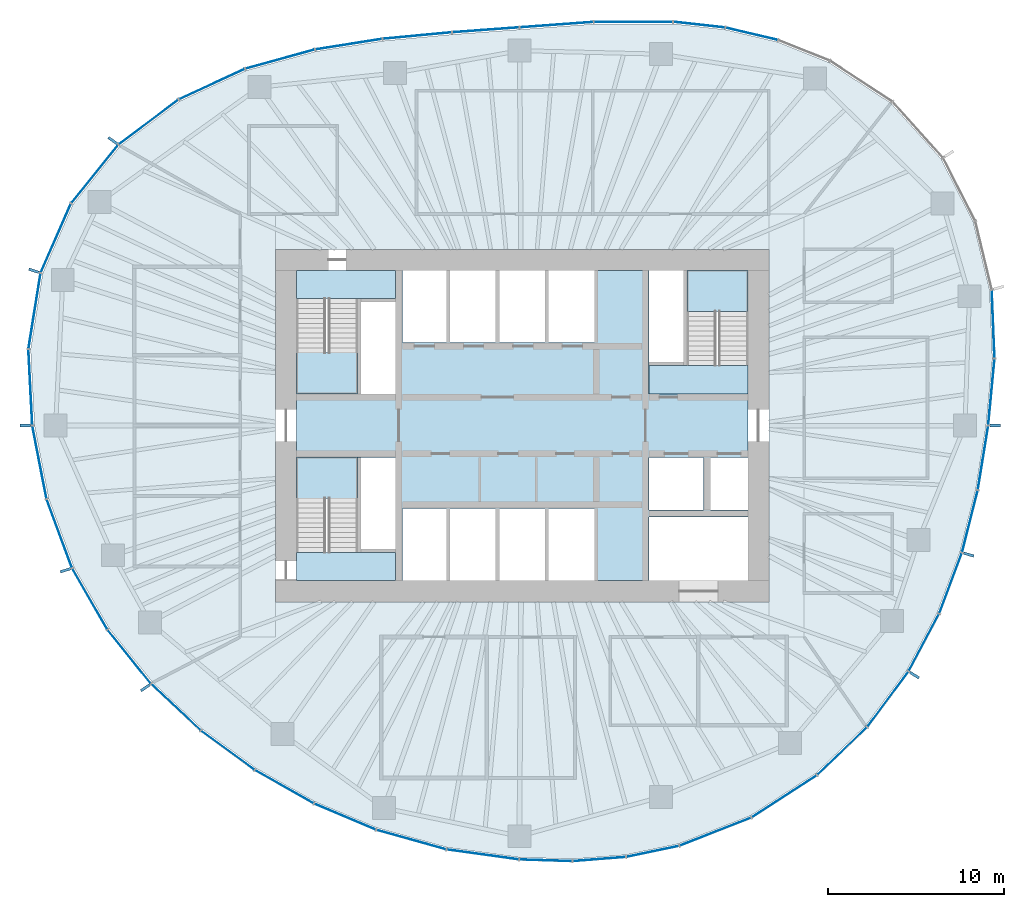
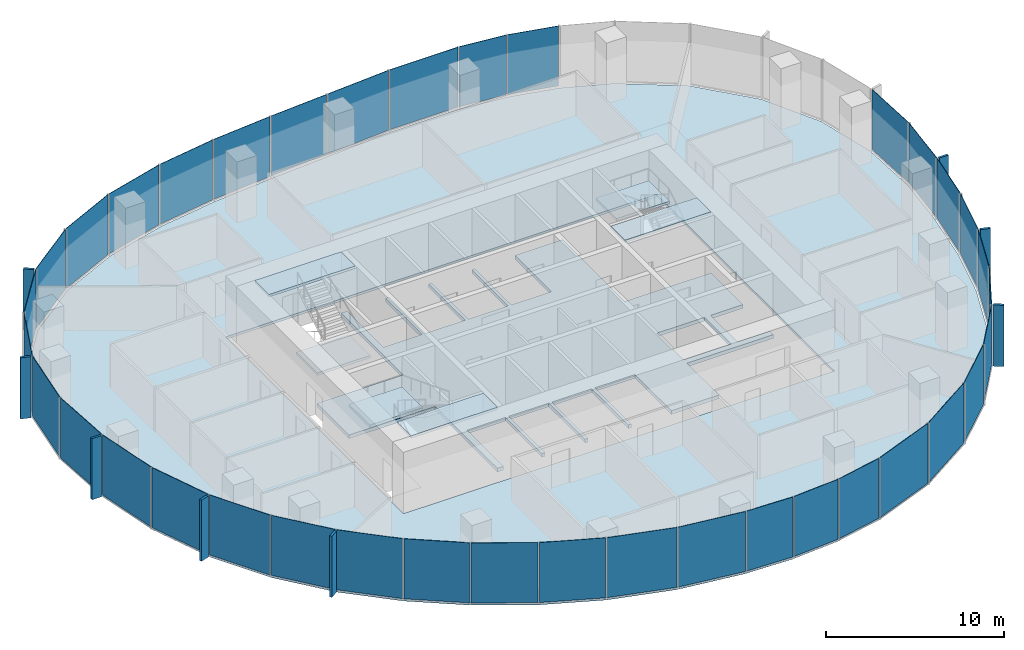
# One storey, part 7 of 12: 45 plates, 8 slabs, 21 elements without a shape of their own.
"""IFC4 building model written with IfcOpenShell, lengths in metres."""

from ifc_helpers import new_model, si_unit, direction, frame, origin, origin_2d, place, context, subcontext, project, spatial, polyline, rectangle, outline, extrude, material, layer, layer_set, type_object, element, aggregate, save


model = new_model("IFC4")

# Units and contexts
model_context = context("Model", 3, precision=1e-05, world=origin(), true_north=direction((0.0, 1.0)))
body_context = subcontext(model_context, "Body", "Model", "MODEL_VIEW")
ifc_project = project(units=[si_unit("LENGTHUNIT", "METRE"), si_unit("AREAUNIT", "SQUARE_METRE"), si_unit("VOLUMEUNIT", "CUBIC_METRE"), si_unit("PLANEANGLEUNIT", "RADIAN"), si_unit("MASSUNIT", "GRAM", prefix="KILO")], contexts=[model_context])

# Site, building, storey
site_placement = place(None, origin())
site = spatial("IfcSite", under=ifc_project, at=site_placement, CompositionType="ELEMENT")
building_placement = place(site_placement, origin())
building = spatial("IfcBuilding", under=site, at=building_placement, Name="Ghaith Harvest Tower", CompositionType="ELEMENT")
storey_placement = place(building_placement, frame((0.0, 0.0, 224.199951171875)))
storey = spatial("IfcBuildingStorey", under=building, at=storey_placement, Name="L49", CompositionType="ELEMENT", Elevation=224.199951171875)

# Curtain wall, plates
ifc_material_1 = material(Name="Black anodised aluminium and fritted glass", Category="aluminium")
curtain_wall_type = type_object("IfcCurtainWallType", Name="CW-H CURTAIN WALL", PredefinedType="NOTDEFINED", material=ifc_material_1)
curtain_wall_1_placement = place(storey_placement, origin())
curtain_wall_1 = element("IfcCurtainWall", 1, at=curtain_wall_1_placement, inside=storey, type_object=curtain_wall_type, Name="Curtain wall CW-H bay 01 L49", PredefinedType="NOTDEFINED")
ifc_material_2 = material(Name="Glass, dark solar-control fritted double glazed unit", Category="glass")
ifc_layer_1 = layer(ifc_material_2, 0.030029296875)
ifc_layer_set_1 = layer_set([ifc_layer_1], Name="CW-H VISION PANEL")
plate_type_1 = type_object("IfcPlateType", Name="CW-H VISION PANEL", PredefinedType="CURTAIN_PANEL", material=ifc_layer_set_1)
plate_1_placement = place(storey_placement, frame((26.624755859375, 1.89794921875, 0.080078125), z_axis=(0.0, 0.0, 1.0), x_axis=(0.094301909937, 0.995543645343, 0.0)))
plate_1 = element("IfcPlate", 2, at=plate_1_placement, type_object=plate_type_1, Name="CW-H glass unit 1 bay 01 L49", PredefinedType="CURTAIN_PANEL", context=body_context, shape_type="SweptSolid", body=[
    extrude(rectangle(XDim=3.73291015625, YDim=0.030029296875, at=origin_2d()), origin(), (0.0, 0.0, 1.0), 4.1201171875),
])
plate_2_placement = place(storey_placement, frame((26.7255859375, 5.74853515625, 0.080078125), z_axis=(0.0, 0.0, 1.0), x_axis=(-0.040462173218, 0.999181070947, 0.0)))
plate_2 = element("IfcPlate", 3, at=plate_2_placement, type_object=plate_type_1, Name="CW-H glass unit 2 bay 01 L49", PredefinedType="CURTAIN_PANEL", context=body_context, shape_type="SweptSolid", body=[
    extrude(rectangle(XDim=3.82861328125, YDim=0.030029296875, at=origin_2d()), origin(), (0.0, 0.0, 1.0), 4.1201171875),
])
aggregate(curtain_wall_1, [plate_1, plate_2])

curtain_wall_2_placement = place(storey_placement, origin())
curtain_wall_2 = element("IfcCurtainWall", 4, at=curtain_wall_2_placement, inside=storey, type_object=curtain_wall_type, Name="Curtain wall CW-H bay 04 L49", PredefinedType="NOTDEFINED")
plate_3_placement = place(storey_placement, frame((13.027099609375, 22.225341796875, 0.080078125), z_axis=(0.0, 0.0, 1.0), x_axis=(-0.973266235028, 0.229679854916, 0.0)))
plate_3 = element("IfcPlate", 5, at=plate_3_placement, type_object=plate_type_1, Name="CW-H glass unit 2 bay 04 L49", PredefinedType="CURTAIN_PANEL", context=body_context, shape_type="SweptSolid", body=[
    extrude(rectangle(XDim=3.00244140625, YDim=0.030029296875, at=origin_2d()), origin(), (0.0, 0.0, 1.0), 4.1201171875),
])
plate_4_placement = place(storey_placement, frame((10.045654296875, 22.744384765625, 0.080078125), z_axis=(0.0, 0.0, 1.0), x_axis=(-0.993865217442, 0.11059805405, 0.0)))
plate_4 = element("IfcPlate", 6, at=plate_4_placement, type_object=plate_type_1, Name="CW-H glass unit 3 bay 04 L49", PredefinedType="CURTAIN_PANEL", context=body_context, shape_type="SweptSolid", body=[
    extrude(rectangle(XDim=2.901123046875, YDim=0.030029296875, at=origin_2d()), origin(), (0.0, 0.0, 1.0), 4.1201171875),
])
aggregate(curtain_wall_2, [plate_3, plate_4])

curtain_wall_3_placement = place(storey_placement, origin())
curtain_wall_3 = element("IfcCurtainWall", 7, at=curtain_wall_3_placement, inside=storey, type_object=curtain_wall_type, Name="Curtain wall CW-H bay 05 L49", PredefinedType="NOTDEFINED")
plate_5_placement = place(storey_placement, frame((6.31201171875, 22.904296875, 0.080078125), z_axis=(0.0, 0.0, 1.0), x_axis=(-0.999997643645, -0.002170876291, 0.0)))
plate_5 = element("IfcPlate", 8, at=plate_5_placement, type_object=plate_type_1, Name="CW-H glass unit 1 bay 05 L49", PredefinedType="CURTAIN_PANEL", context=body_context, shape_type="SweptSolid", body=[
    extrude(rectangle(XDim=4.4248046875, YDim=0.030029296875, at=origin_2d()), origin(), (0.0, 0.0, 1.0), 4.1201171875),
])
plate_6_placement = place(storey_placement, frame((1.952392578125, 22.744873046875, 0.080078125), z_axis=(0.0, 0.0, 1.0), x_axis=(-0.997324570719, -0.073100619976, 0.0)))
plate_6 = element("IfcPlate", 9, at=plate_6_placement, type_object=plate_type_1, Name="CW-H glass unit 2 bay 05 L49", PredefinedType="CURTAIN_PANEL", context=body_context, shape_type="SweptSolid", body=[
    extrude(rectangle(XDim=4.1455078125, YDim=0.030029296875, at=origin_2d()), origin(), (0.0, 0.0, 1.0), 4.1201171875),
])
aggregate(curtain_wall_3, [plate_5, plate_6])

curtain_wall_4_placement = place(storey_placement, origin())
curtain_wall_4 = element("IfcCurtainWall", 10, at=curtain_wall_4_placement, inside=storey, type_object=curtain_wall_type, Name="Curtain wall CW-H bay 06 L49", PredefinedType="NOTDEFINED")
plate_7_placement = place(storey_placement, frame((-2.0693359375, 22.450439453125, 0.080078125), z_axis=(0.0, 0.0, 1.0), x_axis=(-0.997334393671, -0.072966479985, 0.0)))
plate_7 = element("IfcPlate", 11, at=plate_7_placement, type_object=plate_type_1, Name="CW-H glass unit 1 bay 06 L49", PredefinedType="CURTAIN_PANEL", context=body_context, shape_type="SweptSolid", body=[
    extrude(rectangle(XDim=3.759765625, YDim=0.030029296875, at=origin_2d()), origin(), (0.0, 0.0, 1.0), 4.1201171875),
])
plate_8_placement = place(storey_placement, frame((-5.954345703125, 22.12548828125, 0.080078125), z_axis=(0.0, 0.0, 1.0), x_axis=(-0.995631991968, -0.093364535934, 0.0)))
plate_8 = element("IfcPlate", 12, at=plate_8_placement, type_object=plate_type_1, Name="CW-H glass unit 2 bay 06 L49", PredefinedType="CURTAIN_PANEL", context=body_context, shape_type="SweptSolid", body=[
    extrude(rectangle(XDim=3.87744140625, YDim=0.030029296875, at=origin_2d()), origin(), (0.0, 0.0, 1.0), 4.1201171875),
])
aggregate(curtain_wall_4, [plate_7, plate_8])

curtain_wall_5_placement = place(storey_placement, origin())
curtain_wall_5 = element("IfcCurtainWall", 13, at=curtain_wall_5_placement, inside=storey, type_object=curtain_wall_type, Name="Curtain wall CW-H bay 07 L49", PredefinedType="NOTDEFINED")
plate_9_placement = place(storey_placement, frame((-9.83837890625, 21.638671875, 0.080078125), z_axis=(0.0, 0.0, 1.0), x_axis=(-0.98777033338, -0.155915901993, 0.0)))
plate_9 = element("IfcPlate", 14, at=plate_9_placement, type_object=plate_type_1, Name="CW-H glass unit 1 bay 07 L49", PredefinedType="CURTAIN_PANEL", context=body_context, shape_type="SweptSolid", body=[
    extrude(rectangle(XDim=3.795166015625, YDim=0.030029296875, at=origin_2d()), origin(), (0.0, 0.0, 1.0), 4.1201171875),
])
plate_10_placement = place(storey_placement, frame((-13.736572265625, 20.78955078125, 0.080078125), z_axis=(0.0, 0.0, 1.0), x_axis=(-0.964034113875, -0.26577853052, 0.0)))
plate_10 = element("IfcPlate", 15, at=plate_10_placement, type_object=plate_type_1, Name="CW-H glass unit 2 bay 07 L49", PredefinedType="CURTAIN_PANEL", context=body_context, shape_type="SweptSolid", body=[
    extrude(rectangle(XDim=4.03662109375, YDim=0.030029296875, at=origin_2d()), origin(), (0.0, 0.0, 1.0), 4.1201171875),
])
aggregate(curtain_wall_5, [plate_9, plate_10])

curtain_wall_6_placement = place(storey_placement, origin())
curtain_wall_6 = element("IfcCurtainWall", 16, at=curtain_wall_6_placement, inside=storey, type_object=curtain_wall_type, Name="Curtain wall CW-H bay 08 L49", PredefinedType="NOTDEFINED")
plate_11_placement = place(storey_placement, frame((-17.608154296875, 19.370849609375, 0.080078125), z_axis=(0.0, 0.0, 1.0), x_axis=(-0.907814470414, -0.419372015408, 0.0)))
plate_11 = element("IfcPlate", 17, at=plate_11_placement, type_object=plate_type_1, Name="CW-H glass unit 1 bay 08 L49", PredefinedType="CURTAIN_PANEL", context=body_context, shape_type="SweptSolid", body=[
    extrude(rectangle(XDim=4.077392578125, YDim=0.030029296875, at=origin_2d()), origin(), (0.0, 0.0, 1.0), 4.1201171875),
])
plate_12_placement = place(storey_placement, frame((-21.20166015625, 17.219482421875, 0.080078125), z_axis=(0.0, 0.0, 1.0), x_axis=(-0.800067053187, -0.599910585341, 0.0)))
plate_12 = element("IfcPlate", 18, at=plate_12_placement, type_object=plate_type_1, Name="CW-H glass unit 2 bay 08 L49", PredefinedType="CURTAIN_PANEL", context=body_context, shape_type="SweptSolid", body=[
    extrude(rectangle(XDim=4.18603515625, YDim=0.030029296875, at=origin_2d()), origin(), (0.0, 0.0, 1.0), 4.1201171875),
])
aggregate(curtain_wall_6, [plate_11, plate_12])

curtain_wall_7_placement = place(storey_placement, origin())
curtain_wall_7 = element("IfcCurtainWall", 19, at=curtain_wall_7_placement, inside=storey, type_object=curtain_wall_type, Name="Curtain wall CW-H bay 09 L49", PredefinedType="NOTDEFINED")
plate_13_placement = place(storey_placement, frame((-24.25390625, 14.270263671875, 0.080078125), z_axis=(0.0, 0.0, 1.0), x_axis=(-0.627547637499, -0.778578167347, 0.0)))
plate_13 = element("IfcPlate", 20, at=plate_13_placement, type_object=plate_type_1, Name="CW-H glass unit 1 bay 09 L49", PredefinedType="CURTAIN_PANEL", context=body_context, shape_type="SweptSolid", body=[
    extrude(rectangle(XDim=4.208740234375, YDim=0.030029296875, at=origin_2d()), origin(), (0.0, 0.0, 1.0), 4.1201171875),
])
plate_14_placement = place(storey_placement, frame((-26.462646484375, 10.63037109375, 0.080078125), z_axis=(0.0, 0.0, 1.0), x_axis=(-0.40121291108, -0.915984825192, 0.0)))
plate_14 = element("IfcPlate", 21, at=plate_14_placement, type_object=plate_type_1, Name="CW-H glass unit 2 bay 09 L49", PredefinedType="CURTAIN_PANEL", context=body_context, shape_type="SweptSolid", body=[
    extrude(rectangle(XDim=4.22216796875, YDim=0.030029296875, at=origin_2d()), origin(), (0.0, 0.0, 1.0), 4.1201171875),
])
aggregate(curtain_wall_7, [plate_13, plate_14])

curtain_wall_8_placement = place(storey_placement, origin())
curtain_wall_8 = element("IfcCurtainWall", 22, at=curtain_wall_8_placement, inside=storey, type_object=curtain_wall_type, Name="Curtain wall CW-H bay 10 L49", PredefinedType="NOTDEFINED")
plate_15_placement = place(storey_placement, frame((-27.670654296875, 6.49658203125, 0.080078125), z_axis=(0.0, 0.0, 1.0), x_axis=(-0.157514341695, -0.987516699687, 0.0)))
plate_15 = element("IfcPlate", 23, at=plate_15_placement, type_object=plate_type_1, Name="CW-H glass unit 1 bay 10 L49", PredefinedType="CURTAIN_PANEL", context=body_context, shape_type="SweptSolid", body=[
    extrude(rectangle(XDim=4.301513671875, YDim=0.030029296875, at=origin_2d()), origin(), (0.0, 0.0, 1.0), 4.1201171875),
])
plate_16_placement = place(storey_placement, frame((-27.905517578125, 2.16650390625, 0.080078125), z_axis=(0.0, 0.0, 1.0), x_axis=(0.050894857592, -0.998704016949, 0.0)))
plate_16 = element("IfcPlate", 24, at=plate_16_placement, type_object=plate_type_1, Name="CW-H glass unit 2 bay 10 L49", PredefinedType="CURTAIN_PANEL", context=body_context, shape_type="SweptSolid", body=[
    extrude(rectangle(XDim=4.2587890625, YDim=0.030029296875, at=origin_2d()), origin(), (0.0, 0.0, 1.0), 4.1201171875),
])
aggregate(curtain_wall_8, [plate_15, plate_16])

curtain_wall_9_placement = place(storey_placement, origin())
curtain_wall_9 = element("IfcCurtainWall", 25, at=curtain_wall_9_placement, inside=storey, type_object=curtain_wall_type, Name="Curtain wall CW-H bay 11 L49", PredefinedType="NOTDEFINED")
plate_17_placement = place(storey_placement, frame((-27.39013671875, -2.0869140625, 0.080078125), z_axis=(0.0, 0.0, 1.0), x_axis=(0.190426809322, -0.981701395686, 0.0)))
plate_17 = element("IfcPlate", 26, at=plate_17_placement, type_object=plate_type_1, Name="CW-H glass unit 1 bay 11 L49", PredefinedType="CURTAIN_PANEL", context=body_context, shape_type="SweptSolid", body=[
    extrude(rectangle(XDim=4.171630859375, YDim=0.030029296875, at=origin_2d()), origin(), (0.0, 0.0, 1.0), 4.1201171875),
])
plate_18_placement = place(storey_placement, frame((-26.261962890625, -6.1337890625, 0.080078125), z_axis=(0.0, 0.0, 1.0), x_axis=(0.346303431688, -0.938122557666, 0.0)))
plate_18 = element("IfcPlate", 27, at=plate_18_placement, type_object=plate_type_1, Name="CW-H glass unit 2 bay 11 L49", PredefinedType="CURTAIN_PANEL", context=body_context, shape_type="SweptSolid", body=[
    extrude(rectangle(XDim=4.098388671875, YDim=0.030029296875, at=origin_2d()), origin(), (0.0, 0.0, 1.0), 4.1201171875),
])
aggregate(curtain_wall_9, [plate_17, plate_18])

curtain_wall_10_placement = place(storey_placement, origin())
curtain_wall_10 = element("IfcCurtainWall", 28, at=curtain_wall_10_placement, inside=storey, type_object=curtain_wall_type, Name="Curtain wall CW-H bay 12 L49", PredefinedType="NOTDEFINED")
plate_19_placement = place(storey_placement, frame((-24.535888671875, -9.838623046875, 0.080078125), z_axis=(0.0, 0.0, 1.0), x_axis=(0.49818018945, -0.867073525625, 0.0)))
plate_19 = element("IfcPlate", 29, at=plate_19_placement, type_object=plate_type_1, Name="CW-H glass unit 1 bay 12 L49", PredefinedType="CURTAIN_PANEL", context=body_context, shape_type="SweptSolid", body=[
    extrude(rectangle(XDim=3.945068359375, YDim=0.030029296875, at=origin_2d()), origin(), (0.0, 0.0, 1.0), 4.1201171875),
])
plate_20_placement = place(storey_placement, frame((-22.29736328125, -13.119140625, 0.080078125), z_axis=(0.0, 0.0, 1.0), x_axis=(0.626957061695, -0.779053812513, 0.0)))
plate_20 = element("IfcPlate", 30, at=plate_20_placement, type_object=plate_type_1, Name="CW-H glass unit 2 bay 12 L49", PredefinedType="CURTAIN_PANEL", context=body_context, shape_type="SweptSolid", body=[
    extrude(rectangle(XDim=3.8623046875, YDim=0.030029296875, at=origin_2d()), origin(), (0.0, 0.0, 1.0), 4.1201171875),
])
aggregate(curtain_wall_10, [plate_19, plate_20])

curtain_wall_11_placement = place(storey_placement, origin())
curtain_wall_11 = element("IfcCurtainWall", 31, at=curtain_wall_11_placement, inside=storey, type_object=curtain_wall_type, Name="Curtain wall CW-H bay 13 L49", PredefinedType="NOTDEFINED")
plate_21_placement = place(storey_placement, frame((-19.649658203125, -15.98046875, 0.080078125), z_axis=(0.0, 0.0, 1.0), x_axis=(0.729016864325, -0.684495735217, 0.0)))
plate_21 = element("IfcPlate", 32, at=plate_21_placement, type_object=plate_type_1, Name="CW-H glass unit 1 bay 13 L49", PredefinedType="CURTAIN_PANEL", context=body_context, shape_type="SweptSolid", body=[
    extrude(rectangle(XDim=3.793212890625, YDim=0.030029296875, at=origin_2d()), origin(), (0.0, 0.0, 1.0), 4.1201171875),
])
plate_22_placement = place(storey_placement, frame((-16.707763671875, -18.42431640625, 0.080078125), z_axis=(0.0, 0.0, 1.0), x_axis=(0.80736351134, -0.590054370848, 0.0)))
plate_22 = element("IfcPlate", 33, at=plate_22_placement, type_object=plate_type_1, Name="CW-H glass unit 2 bay 13 L49", PredefinedType="CURTAIN_PANEL", context=body_context, shape_type="SweptSolid", body=[
    extrude(rectangle(XDim=3.710693359375, YDim=0.030029296875, at=origin_2d()), origin(), (0.0, 0.0, 1.0), 4.1201171875),
])
aggregate(curtain_wall_11, [plate_21, plate_22])

curtain_wall_12_placement = place(storey_placement, origin())
curtain_wall_12 = element("IfcCurtainWall", 34, at=curtain_wall_12_placement, inside=storey, type_object=curtain_wall_type, Name="Curtain wall CW-H bay 14 L49", PredefinedType="NOTDEFINED")
plate_23_placement = place(storey_placement, frame((-13.496337890625, -20.496826171875, 0.080078125), z_axis=(0.0, 0.0, 1.0), x_axis=(0.869715300233, -0.493553742303, 0.0)))
plate_23 = element("IfcPlate", 35, at=plate_23_placement, type_object=plate_type_1, Name="CW-H glass unit 1 bay 14 L49", PredefinedType="CURTAIN_PANEL", context=body_context, shape_type="SweptSolid", body=[
    extrude(rectangle(XDim=3.785888671875, YDim=0.030029296875, at=origin_2d()), origin(), (0.0, 0.0, 1.0), 4.1201171875),
])
plate_24_placement = place(storey_placement, frame((-10.050537109375, -22.1962890625, 0.080078125), z_axis=(0.0, 0.0, 1.0), x_axis=(0.921181516072, -0.389133157734, 0.0)))
plate_24 = element("IfcPlate", 36, at=plate_24_placement, type_object=plate_type_1, Name="CW-H glass unit 2 bay 14 L49", PredefinedType="CURTAIN_PANEL", context=body_context, shape_type="SweptSolid", body=[
    extrude(rectangle(XDim=3.751220703125, YDim=0.030029296875, at=origin_2d()), origin(), (0.0, 0.0, 1.0), 4.1201171875),
])
aggregate(curtain_wall_12, [plate_23, plate_24])

curtain_wall_13_placement = place(storey_placement, origin())
curtain_wall_13 = element("IfcCurtainWall", 37, at=curtain_wall_13_placement, inside=storey, type_object=curtain_wall_type, Name="Curtain wall CW-H bay 15 L49", PredefinedType="NOTDEFINED")
plate_25_placement = place(storey_placement, frame((-6.291015625, -23.49853515625, 0.080078125), z_axis=(0.0, 0.0, 1.0), x_axis=(0.963162861349, -0.268918765647, 0.0)))
plate_25 = element("IfcPlate", 38, at=plate_25_placement, type_object=plate_type_1, Name="CW-H glass unit 1 bay 15 L49", PredefinedType="CURTAIN_PANEL", context=body_context, shape_type="SweptSolid", body=[
    extrude(rectangle(XDim=4.062744140625, YDim=0.030029296875, at=origin_2d()), origin(), (0.0, 0.0, 1.0), 4.1201171875),
])
plate_26_placement = place(storey_placement, frame((-2.232177734375, -24.34033203125, 0.080078125), z_axis=(0.0, 0.0, 1.0), x_axis=(0.990612268407, -0.136701622823, 0.0)))
plate_26 = element("IfcPlate", 39, at=plate_26_placement, type_object=plate_type_1, Name="CW-H glass unit 2 bay 15 L49", PredefinedType="CURTAIN_PANEL", context=body_context, shape_type="SweptSolid", body=[
    extrude(rectangle(XDim=4.08642578125, YDim=0.030029296875, at=origin_2d()), origin(), (0.0, 0.0, 1.0), 4.1201171875),
])
aggregate(curtain_wall_13, [plate_25, plate_26])

curtain_wall_14_placement = place(storey_placement, origin())
curtain_wall_14 = element("IfcCurtainWall", 40, at=curtain_wall_14_placement, inside=storey, type_object=curtain_wall_type, Name="Curtain wall CW-H bay 16 L49", PredefinedType="NOTDEFINED")
plate_27_placement = place(storey_placement, frame((1.339599609375, -24.67333984375, 0.080078125), z_axis=(0.0, 0.0, 1.0), x_axis=(0.99949125523, -0.031894054587, 0.0)))
plate_27 = element("IfcPlate", 41, at=plate_27_placement, type_object=plate_type_1, Name="CW-H glass unit 1 bay 16 L49", PredefinedType="CURTAIN_PANEL", context=body_context, shape_type="SweptSolid", body=[
    extrude(rectangle(XDim=2.937744140625, YDim=0.030029296875, at=origin_2d()), origin(), (0.0, 0.0, 1.0), 4.1201171875),
])
plate_28_placement = place(storey_placement, frame((4.37060546875, -24.60205078125, 0.080078125), z_axis=(0.0, 0.0, 1.0), x_axis=(0.996945418782, 0.078101421048, 0.0)))
plate_28 = element("IfcPlate", 42, at=plate_28_placement, type_object=plate_type_1, Name="CW-H glass unit 2 bay 16 L49", PredefinedType="CURTAIN_PANEL", context=body_context, shape_type="SweptSolid", body=[
    extrude(rectangle(XDim=2.974853515625, YDim=0.030029296875, at=origin_2d()), origin(), (0.0, 0.0, 1.0), 4.1201171875),
])
plate_29_placement = place(storey_placement, frame((7.40478515625, -24.16650390625, 0.080078125), z_axis=(0.0, 0.0, 1.0), x_axis=(0.978788872874, 0.204871526422, 0.0)))
plate_29 = element("IfcPlate", 43, at=plate_29_placement, type_object=plate_type_1, Name="CW-H glass unit 3 bay 16 L49", PredefinedType="CURTAIN_PANEL", context=body_context, shape_type="SweptSolid", body=[
    extrude(rectangle(XDim=3.00830078125, YDim=0.030029296875, at=origin_2d()), origin(), (0.0, 0.0, 1.0), 4.1201171875),
])
aggregate(curtain_wall_14, [plate_27, plate_28, plate_29])

curtain_wall_15_placement = place(storey_placement, origin())
curtain_wall_15 = element("IfcCurtainWall", 44, at=curtain_wall_15_placement, inside=storey, type_object=curtain_wall_type, Name="Curtain wall CW-H bay 17 L49", PredefinedType="NOTDEFINED")
plate_30_placement = place(storey_placement, frame((10.963134765625, -23.048583984375, 0.080078125), z_axis=(0.0, 0.0, 1.0), x_axis=(0.931161161765, 0.364607858966, 0.0)))
plate_30 = element("IfcPlate", 45, at=plate_30_placement, type_object=plate_type_1, Name="CW-H glass unit 1 bay 17 L49", PredefinedType="CURTAIN_PANEL", context=body_context, shape_type="SweptSolid", body=[
    extrude(rectangle(XDim=4.316650390625, YDim=0.030029296875, at=origin_2d()), origin(), (0.0, 0.0, 1.0), 4.1201171875),
])
plate_31_placement = place(storey_placement, frame((14.869384765625, -21.042724609375, 0.080078125), z_axis=(0.0, 0.0, 1.0), x_axis=(0.839305300126, 0.543660384045, 0.0)))
plate_31 = element("IfcPlate", 46, at=plate_31_placement, type_object=plate_type_1, Name="CW-H glass unit 2 bay 17 L49", PredefinedType="CURTAIN_PANEL", context=body_context, shape_type="SweptSolid", body=[
    extrude(rectangle(XDim=4.35107421875, YDim=0.030029296875, at=origin_2d()), origin(), (0.0, 0.0, 1.0), 4.1201171875),
])
aggregate(curtain_wall_15, [plate_30, plate_31])

curtain_wall_16_placement = place(storey_placement, origin())
curtain_wall_16 = element("IfcCurtainWall", 47, at=curtain_wall_16_placement, inside=storey, type_object=curtain_wall_type, Name="Curtain wall CW-H bay 18 L49", PredefinedType="NOTDEFINED")
plate_32_placement = place(storey_placement, frame((18.151611328125, -18.47705078125, 0.080078125), z_axis=(0.0, 0.0, 1.0), x_axis=(0.722532585058, 0.691336866896, 0.0)))
plate_32 = element("IfcPlate", 48, at=plate_32_placement, type_object=plate_type_1, Name="CW-H glass unit 1 bay 18 L49", PredefinedType="CURTAIN_PANEL", context=body_context, shape_type="SweptSolid", body=[
    extrude(rectangle(XDim=3.85791015625, YDim=0.030029296875, at=origin_2d()), origin(), (0.0, 0.0, 1.0), 4.1201171875),
])
plate_33_placement = place(storey_placement, frame((20.74853515625, -15.53369140625, 0.080078125), z_axis=(0.0, 0.0, 1.0), x_axis=(0.596018639888, 0.802970597784, 0.0)))
plate_33 = element("IfcPlate", 49, at=plate_33_placement, type_object=plate_type_1, Name="CW-H glass unit 2 bay 18 L49", PredefinedType="CURTAIN_PANEL", context=body_context, shape_type="SweptSolid", body=[
    extrude(rectangle(XDim=3.8603515625, YDim=0.030029296875, at=origin_2d()), origin(), (0.0, 0.0, 1.0), 4.1201171875),
])
aggregate(curtain_wall_16, [plate_32, plate_33])

curtain_wall_17_placement = place(storey_placement, origin())
curtain_wall_17 = element("IfcCurtainWall", 50, at=curtain_wall_17_placement, inside=storey, type_object=curtain_wall_type, Name="Curtain wall CW-H bay 19 L49", PredefinedType="NOTDEFINED")
plate_34_placement = place(storey_placement, frame((22.79052734375, -12.316162109375, 0.080078125), z_axis=(0.0, 0.0, 1.0), x_axis=(0.46864379564, 0.883387226989, 0.0)))
plate_34 = element("IfcPlate", 51, at=plate_34_placement, type_object=plate_type_1, Name="CW-H glass unit 1 bay 19 L49", PredefinedType="CURTAIN_PANEL", context=body_context, shape_type="SweptSolid", body=[
    extrude(rectangle(XDim=3.623291015625, YDim=0.030029296875, at=origin_2d()), origin(), (0.0, 0.0, 1.0), 4.1201171875),
])
plate_35_placement = place(storey_placement, frame((24.30712890625, -8.946533203125, 0.080078125), z_axis=(0.0, 0.0, 1.0), x_axis=(0.350480749824, 0.936569935457, 0.0)))
plate_35 = element("IfcPlate", 52, at=plate_35_placement, type_object=plate_type_1, Name="CW-H glass unit 2 bay 19 L49", PredefinedType="CURTAIN_PANEL", context=body_context, shape_type="SweptSolid", body=[
    extrude(rectangle(XDim=3.62255859375, YDim=0.030029296875, at=origin_2d()), origin(), (0.0, 0.0, 1.0), 4.1201171875),
])
aggregate(curtain_wall_17, [plate_34, plate_35])

curtain_wall_18_placement = place(storey_placement, origin())
curtain_wall_18 = element("IfcCurtainWall", 53, at=curtain_wall_18_placement, inside=storey, type_object=curtain_wall_type, Name="Curtain wall CW-H bay 20 L49", PredefinedType="NOTDEFINED")
plate_36_placement = place(storey_placement, frame((25.404541015625, -5.43701171875, 0.080078125), z_axis=(0.0, 0.0, 1.0), x_axis=(0.244925945134, 0.969541789404, 0.0)))
plate_36 = element("IfcPlate", 54, at=plate_36_placement, type_object=plate_type_1, Name="CW-H glass unit 1 bay 20 L49", PredefinedType="CURTAIN_PANEL", context=body_context, shape_type="SweptSolid", body=[
    extrude(rectangle(XDim=3.583251953125, YDim=0.030029296875, at=origin_2d()), origin(), (0.0, 0.0, 1.0), 4.1201171875),
])
plate_37_placement = place(storey_placement, frame((26.14892578125, -1.83056640625, 0.080078125), z_axis=(0.0, 0.0, 1.0), x_axis=(0.159600748097, 0.987181645497, 0.0)))
plate_37 = element("IfcPlate", 55, at=plate_37_placement, type_object=plate_type_1, Name="CW-H glass unit 2 bay 20 L49", PredefinedType="CURTAIN_PANEL", context=body_context, shape_type="SweptSolid", body=[
    extrude(rectangle(XDim=3.628662109375, YDim=0.030029296875, at=origin_2d()), origin(), (0.0, 0.0, 1.0), 4.1201171875),
])
aggregate(curtain_wall_18, [plate_36, plate_37])

# Slabs
ifc_material_3 = material(Name="Concrete C40/50", Category="concrete")
ifc_layer_2 = layer(ifc_material_3, 0.169921875)
ifc_layer_set_2 = layer_set([ifc_layer_2], Name="FLOOR SLAB 170")
slab_type_1 = type_object("IfcSlabType", Name="FLOOR SLAB 170", PredefinedType="FLOOR", material=ifc_layer_set_2)
slab_1_placement = place(storey_placement, frame((0.0, 0.0, -0.169921875)))
element("IfcSlab", 56, at=slab_1_placement, inside=storey, type_object=slab_type_1, Name="Floor slab L49", PredefinedType="FLOOR", context=body_context, shape_type="SweptSolid", body=[
    extrude(outline(polyline([(26.324951171875, 0.0), (26.685791015625, 3.779052734375), (26.531005859375, 7.668212890625), (25.597900390625, 11.55615234375), (23.77294921875, 15.12939453125), (20.923095703125, 18.295166015625), (17.382080078125, 20.612548828125), (14.460693359375, 21.771484375), (11.47265625, 22.47265625), (8.522216796875, 22.796875), (4.03857421875, 22.78125), (-0.15380859375, 22.470458984375), (-3.963134765625, 22.192138671875), (-7.8837890625, 21.827880859375), (-11.694580078125, 21.2314453125), (-15.6474609375, 20.147705078125), (-19.408203125, 18.41650390625), (-22.809814453125, 15.87109375), (-25.491943359375, 12.547607421875), (-27.211181640625, 8.623779296875), (-27.897216796875, 4.314697265625), (-27.675048828125, 0.0), (-26.86669921875, -4.155517578125), (-25.424072265625, -8.057373046875), (-23.425537109375, -11.530517578125), (-20.963134765625, -14.586181640625), (-18.15087890625, -17.223388671875), (-15.10400390625, -19.447998046875), (-11.75732421875, -21.345703125), (-8.2451171875, -22.82861328125), (-4.27490234375, -23.9375), (-0.167724609375, -24.505126953125), (2.833984375, -24.602294921875), (5.865234375, -24.3662109375), (8.8740234375, -23.73779296875), (12.949462890625, -22.1435546875), (16.651611328125, -19.746337890625), (19.48388671875, -17.036865234375), (21.821533203125, -13.887451171875), (23.548828125, -10.631103515625), (24.840576171875, -7.179443359375), (25.734375, -3.644287109375), (26.324951171875, 0.0)]), holes=[polyline([(-14.0, -10.0), (14.0, -10.0), (14.0, 10.0), (-14.0, 10.0), (-14.0, -10.0)])]), origin(), (0.0, 0.0, 1.0), 0.169921875),
])
ifc_material_4 = material(Name="Concrete C40/50", Category="concrete")
ifc_layer_3 = layer(ifc_material_4, 0.25)
ifc_layer_set_3 = layer_set([ifc_layer_3], Name="FLOOR SLAB 250")
slab_type_2 = type_object("IfcSlabType", Name="FLOOR SLAB 250", PredefinedType="FLOOR", material=ifc_layer_set_3)
slab_2_placement = place(storey_placement, frame((0.0, 0.0, -0.25)))
element("IfcSlab", 57, at=slab_2_placement, inside=storey, type_object=slab_type_2, Name="Core slab L49", PredefinedType="FLOOR", context=body_context, shape_type="SweptSolid", body=[
    extrude(outline(polyline([(-12.800048828125, 1.800048828125), (-7.199951171875, 1.800048828125), (-7.199951171875, 8.800048828125), (-6.800048828125, 8.800048828125), (-6.800048828125, 4.699951171875), (-4.300048828125, 4.699951171875), (-4.300048828125, 8.800048828125), (-4.10009765625, 8.800048828125), (-4.10009765625, 4.699951171875), (-1.5, 4.699951171875), (-1.5, 8.800048828125), (-1.300048828125, 8.800048828125), (-1.300048828125, 4.699951171875), (1.300048828125, 4.699951171875), (1.300048828125, 8.800048828125), (1.5, 8.800048828125), (1.5, 4.699951171875), (4.10009765625, 4.699951171875), (4.10009765625, 8.800048828125), (7.199951171875, 8.800048828125), (7.199951171875, 1.800048828125), (12.800048828125, 1.800048828125), (12.800048828125, -1.800048828125), (10.699951171875, -1.800048828125), (10.699951171875, -4.800048828125), (12.800048828125, -4.800048828125), (12.800048828125, -5.199951171875), (7.199951171875, -5.199951171875), (7.199951171875, -8.800048828125), (4.10009765625, -8.800048828125), (4.10009765625, -4.699951171875), (1.5, -4.699951171875), (1.5, -8.800048828125), (1.300048828125, -8.800048828125), (1.300048828125, -4.699951171875), (-1.300048828125, -4.699951171875), (-1.300048828125, -8.800048828125), (-1.5, -8.800048828125), (-1.5, -4.699951171875), (-4.10009765625, -4.699951171875), (-4.10009765625, -8.800048828125), (-4.300048828125, -8.800048828125), (-4.300048828125, -4.699951171875), (-6.800048828125, -4.699951171875), (-6.800048828125, -8.800048828125), (-7.199951171875, -8.800048828125), (-7.199951171875, -1.800048828125), (-12.800048828125, -1.800048828125), (-12.800048828125, 1.800048828125)]), holes=[polyline([(10.300048828125, -4.800048828125), (10.300048828125, -1.800048828125), (7.199951171875, -1.800048828125), (7.199951171875, -4.800048828125), (10.300048828125, -4.800048828125)])]), origin(), (0.0, 0.0, 1.0), 0.25),
])

# Stair, slabs
ifc_material_5 = material(Name="Concrete C40/50, precast", Category="concrete")
stair_type = type_object("IfcStairType", Name="CORE STAIR 24R", PredefinedType="HALF_TURN_STAIR", material=ifc_material_5)
stair_1_placement = place(storey_placement, origin())
stair_1 = element("IfcStair", 58, at=stair_1_placement, inside=storey, type_object=stair_type, Name="Stair ST1 L49", PredefinedType="HALF_TURN_STAIR")
ifc_material_6 = material(Name="Concrete C40/50, precast", Category="concrete")
ifc_layer_4 = layer(ifc_material_6, 0.179931640625)
ifc_layer_set_4 = layer_set([ifc_layer_4], Name="STAIR LANDING 180")
slab_type_3 = type_object("IfcSlabType", Name="STAIR LANDING 180", PredefinedType="LANDING", material=ifc_layer_set_4)
slab_3_placement = place(storey_placement, frame((0.0, 0.0, 1.920166015625)))
slab_3 = element("IfcSlab", 59, at=slab_3_placement, type_object=slab_type_3, Name="ST1 landing 1", PredefinedType="LANDING", context=body_context, shape_type="SweptSolid", body=[
    extrude(outline(polyline([(-12.800048828125, 4.139892578125), (-12.800048828125, 1.77490234375), (-9.35009765625, 1.77490234375), (-9.35009765625, 4.139892578125), (-12.800048828125, 4.139892578125)])), origin(), (0.0, 0.0, 1.0), 0.179931640625),
])
slab_4_placement = place(storey_placement, frame((0.0, 0.0, 4.02001953125)))
slab_4 = element("IfcSlab", 60, at=slab_4_placement, type_object=slab_type_3, Name="ST1 landing 2", PredefinedType="LANDING", context=body_context, shape_type="SweptSolid", body=[
    extrude(outline(polyline([(-12.800048828125, 8.800048828125), (-12.800048828125, 7.199951171875), (-7.199951171875, 7.199951171875), (-7.199951171875, 8.800048828125), (-12.800048828125, 8.800048828125)])), origin(), (0.0, 0.0, 1.0), 0.179931640625),
])
aggregate(stair_1, [slab_3, slab_4])

stair_2_placement = place(storey_placement, origin())
stair_2 = element("IfcStair", 61, at=stair_2_placement, inside=storey, type_object=stair_type, Name="Stair ST3 L49", PredefinedType="HALF_TURN_STAIR")
slab_5_placement = place(storey_placement, frame((0.0, 0.0, 1.920166015625)))
slab_5 = element("IfcSlab", 62, at=slab_5_placement, type_object=slab_type_3, Name="ST3 landing 1", PredefinedType="LANDING", context=body_context, shape_type="SweptSolid", body=[
    extrude(outline(polyline([(-12.800048828125, -4.139892578125), (-12.800048828125, -1.77490234375), (-9.35009765625, -1.77490234375), (-9.35009765625, -4.139892578125), (-12.800048828125, -4.139892578125)])), origin(), (0.0, 0.0, 1.0), 0.179931640625),
])
slab_6_placement = place(storey_placement, frame((0.0, 0.0, 4.02001953125)))
slab_6 = element("IfcSlab", 63, at=slab_6_placement, type_object=slab_type_3, Name="ST3 landing 2", PredefinedType="LANDING", context=body_context, shape_type="SweptSolid", body=[
    extrude(outline(polyline([(-12.800048828125, -8.800048828125), (-12.800048828125, -7.199951171875), (-7.199951171875, -7.199951171875), (-7.199951171875, -8.800048828125), (-12.800048828125, -8.800048828125)])), origin(), (0.0, 0.0, 1.0), 0.179931640625),
])
aggregate(stair_2, [slab_5, slab_6])

stair_3_placement = place(storey_placement, origin())
stair_3 = element("IfcStair", 64, at=stair_3_placement, inside=storey, type_object=stair_type, Name="Stair ST2 L49", PredefinedType="HALF_TURN_STAIR")
slab_7_placement = place(storey_placement, frame((0.0, 0.0, 1.920166015625)))
slab_7 = element("IfcSlab", 65, at=slab_7_placement, type_object=slab_type_3, Name="ST2 landing 1", PredefinedType="LANDING", context=body_context, shape_type="SweptSolid", body=[
    extrude(outline(polyline([(12.800048828125, 6.4599609375), (12.800048828125, 8.800048828125), (9.35009765625, 8.800048828125), (9.35009765625, 6.4599609375), (12.800048828125, 6.4599609375)])), origin(), (0.0, 0.0, 1.0), 0.179931640625),
])
slab_8_placement = place(storey_placement, frame((0.0, 0.0, 4.02001953125)))
slab_8 = element("IfcSlab", 66, at=slab_8_placement, type_object=slab_type_3, Name="ST2 landing 2", PredefinedType="LANDING", context=body_context, shape_type="SweptSolid", body=[
    extrude(outline(polyline([(12.800048828125, 1.800048828125), (12.800048828125, 3.39990234375), (7.199951171875, 3.39990234375), (7.199951171875, 1.800048828125), (12.800048828125, 1.800048828125)])), origin(), (0.0, 0.0, 1.0), 0.179931640625),
])
aggregate(stair_3, [slab_7, slab_8])

# Plates
ifc_material_7 = material(Name="Glassfibre-reinforced concrete", Category="concrete")
ifc_layer_5 = layer(ifc_material_7, 0.14990234375)
ifc_layer_set_5 = layer_set([ifc_layer_5], Name="SUN-BREAKER FIN 600x150")
plate_type_2 = type_object("IfcPlateType", Name="SUN-BREAKER FIN 600x150", PredefinedType="USERDEFINED", material=ifc_layer_set_5)
for number, where, z_axis, x_axis, name in (
    (67, (26.844970703125, 0.0, 0.0), (0.0, 0.0, 1.0), (1.0, 0.0, 0.0), "Sun-breaker fin CW-H 1 bay 01 L49"),
    (68, (-23.236572265625, 16.168212890625, 0.0), (0.0, 0.0, 1.0), (-0.820845486523, 0.571150319316, 0.0), "Sun-breaker fin CW-H 1 bay 09 L49"),
    (69, (-27.70703125, 8.78076171875, 0.0), (0.0, 0.0, 1.0), (-0.953273219358, 0.302109531884, 0.0), "Sun-breaker fin CW-H 1 bay 10 L49"),
    (70, (-28.195068359375, 0.0, 0.0), (0.0, 0.0, 1.0), (-1.0, -4.19e-10, 0.0), "Sun-breaker fin CW-H 1 bay 11 L49"),
    (71, (-25.919677734375, -8.21435546875, 0.0), (0.0, 0.0, 1.0), (-0.953273219416, -0.302109531701, 0.0), "Sun-breaker fin CW-H 1 bay 12 L49"),
    (72, (-21.389892578125, -14.88330078125, 0.0), (0.0, 0.0, 1.0), (-0.820845486622, -0.571150319173, 0.0), "Sun-breaker fin CW-H 1 bay 13 L49"),
    (73, (22.26025390625, -14.16650390625, 0.0), (0.0, 0.0, 1.0), (0.84364397137, -0.536903016913, 0.0), "Sun-breaker fin CW-H 1 bay 19 L49"),
    (74, (25.340087890625, -7.32373046875, 0.0), (0.0, 0.0, 1.0), (0.960680349932, -0.277656739976, 0.0), "Sun-breaker fin CW-H 1 bay 20 L49"),
):
    element("IfcPlate", number, at=place(storey_placement, frame(where, z_axis=z_axis, x_axis=x_axis)), inside=storey, type_object=plate_type_2, Name=name, ObjectType="SUN-BREAKER FIN", PredefinedType="USERDEFINED", context=body_context, shape_type="SweptSolid", body=[
        extrude(rectangle(XDim=0.60009765625, YDim=0.14990234375, at=origin_2d()), origin(), (0.0, 0.0, 1.0), 4.199951171875),
    ])

save(model, "model.ifc")
